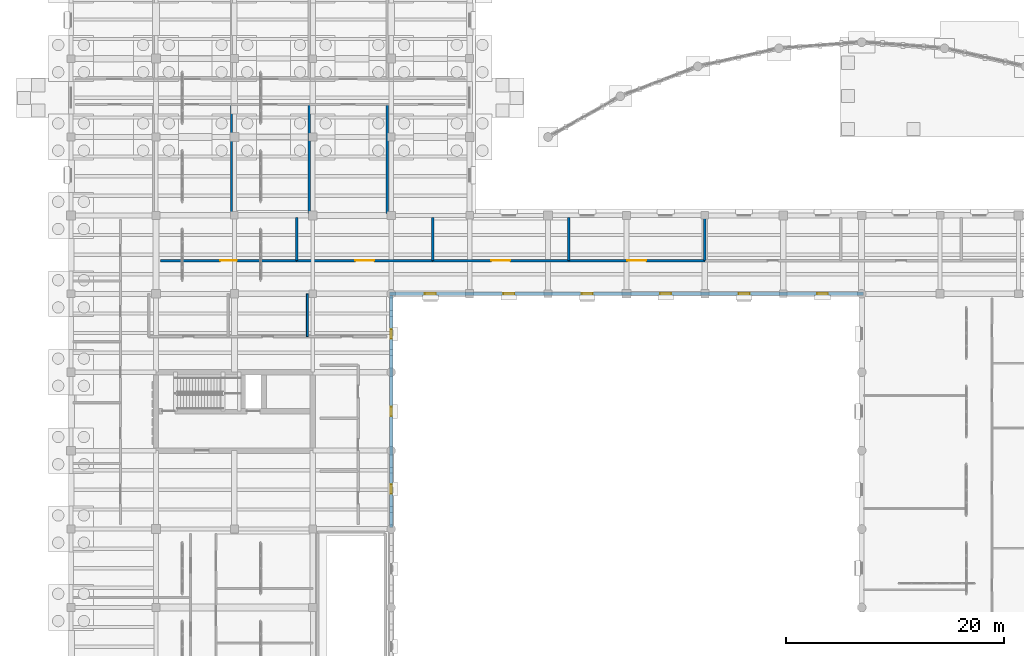
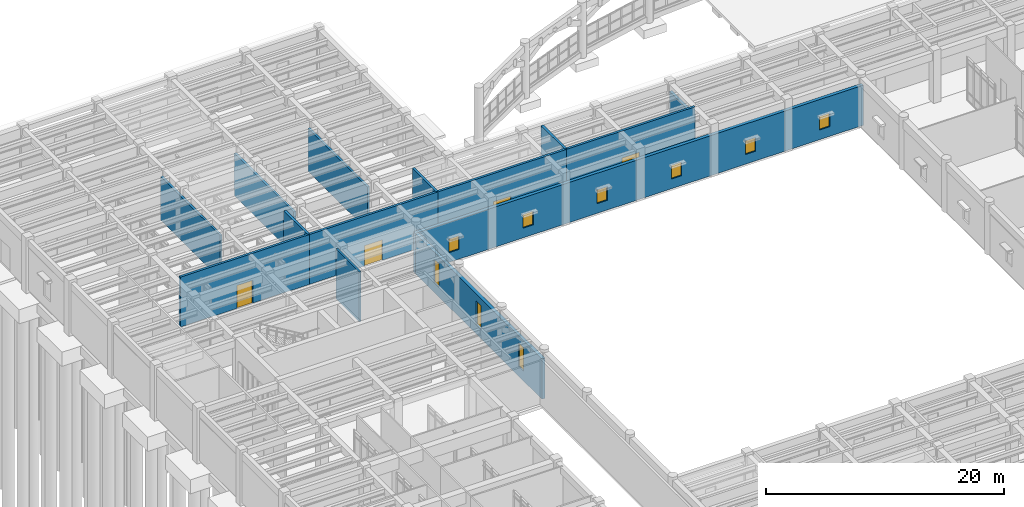
# One storey, part 75 of 100: 14 walls, 9 windows, 4 doors, 13 openings.
"""IFC4 building model written with IfcOpenShell, lengths in metres."""

from ifc_helpers import new_model, si_unit, direction, frame, frame_2d, origin, place, context, subcontext, project, spatial, rectangle, extrude, material, layer, layer_set, type_object, element, fill, save


model = new_model("IFC4")

# Units and contexts
model_context = context("Model", 3, precision=1e-05, world=origin(), true_north=direction((0.0, 1.0)))
body_context = subcontext(model_context, "Body", "Model", "MODEL_VIEW")
ifc_project = project(units=[si_unit("LENGTHUNIT", "METRE"), si_unit("AREAUNIT", "SQUARE_METRE"), si_unit("VOLUMEUNIT", "CUBIC_METRE"), si_unit("PLANEANGLEUNIT", "RADIAN"), si_unit("MASSUNIT", "GRAM", prefix="KILO")], contexts=[model_context])

# Site, building, storey
site_placement = place(None, origin())
site = spatial("IfcSite", under=ifc_project, at=site_placement, CompositionType="ELEMENT")
building_placement = place(site_placement, origin())
building = spatial("IfcBuilding", under=site, at=building_placement, Name="Mithqara Police Headquarters", CompositionType="ELEMENT")
storey_placement = place(building_placement, origin())
storey = spatial("IfcBuildingStorey", under=building, at=storey_placement, Name="L00", CompositionType="ELEMENT", Elevation=0.0)

# Wall, openings, windows
ifc_material_1 = material(Name="Limestone ashlar masonry, 45 MPa", Category="masonry")
ifc_layer_1 = layer(ifc_material_1, 0.320068359375, Name="Limestone ashlar masonry, 45 MPa")
ifc_layer_set_1 = layer_set([ifc_layer_1], Name="Limestone ashlar masonry, 45 MPa")
wall_type_1 = type_object("IfcWallType", Name="EXT WALL LIMESTONE320", PredefinedType="SOLIDWALL", material=ifc_layer_set_1)
wall_1_placement = place(storey_placement, frame((29.39990234375, 57.159912109375, 0.0), z_axis=(0.0, 0.0, 1.0), x_axis=(0.0, 1.0, 0.0)))
wall_1 = element("IfcWall", 1, at=wall_1_placement, inside=storey, type_object=wall_type_1, Name="L00 Exterior Wall 2.1", PredefinedType="SOLIDWALL", context=body_context, shape_type="SweptSolid", body=[
    extrude(rectangle(XDim=21.280029296875, YDim=0.320068359375, at=frame_2d((10.64013671875, 0.0))), origin(), (0.0, 0.0, 1.0), 4.1201171875),
])
opening_1_placement = place(wall_1_placement, frame((3.094970703125, 0.0, 1.0)))
opening_1 = element("IfcOpeningElement", 2, at=opening_1_placement, cuts=wall_1, Name="Opening W-05", PredefinedType="OPENING", context=body_context, shape_type="SweptSolid", body=[
    extrude(rectangle(XDim=0.85009765625, YDim=2.39990234375, at=frame_2d((0.425048828125, 1.199951171875))), frame((0.0, 0.169921875, 0.0), z_axis=(0.0, -1.0, 0.0), x_axis=(1.0, 0.0, 0.0)), (0.0, 0.0, 1.0), 0.340087890625),
])
opening_2_placement = place(wall_1_placement, frame((10.215087890625, 0.0, 1.0)))
opening_2 = element("IfcOpeningElement", 3, at=opening_2_placement, cuts=wall_1, Name="Opening W-05", PredefinedType="OPENING", context=body_context, shape_type="SweptSolid", body=[
    extrude(rectangle(XDim=0.85009765625, YDim=2.39990234375, at=frame_2d((0.425048828125, 1.199951171875))), frame((0.0, 0.169921875, 0.0), z_axis=(0.0, -1.0, 0.0), x_axis=(1.0, 0.0, 0.0)), (0.0, 0.0, 1.0), 0.340087890625),
])
opening_3_placement = place(wall_1_placement, frame((17.3349609375, 0.0, 1.0)))
opening_3 = element("IfcOpeningElement", 4, at=opening_3_placement, cuts=wall_1, Name="Opening W-05", PredefinedType="OPENING", context=body_context, shape_type="SweptSolid", body=[
    extrude(rectangle(XDim=0.85009765625, YDim=2.39990234375, at=frame_2d((0.425048828125, 1.199951171875))), frame((0.0, 0.169921875, 0.0), z_axis=(0.0, -1.0, 0.0), x_axis=(1.0, 0.0, 0.0)), (0.0, 0.0, 1.0), 0.340087890625),
])
ifc_material_2 = material(Name="Spectrally selective double low-e glass", Category="glass")
window_type_1 = type_object("IfcWindowType", Name="WINDOW 850X2400", PartitioningType="SINGLE_PANEL", PredefinedType="WINDOW", material=ifc_material_2)
window_1_placement = place(opening_1_placement, origin())
window_1 = element("IfcWindow", 5, at=window_1_placement, inside=storey, type_object=window_type_1, Name="L00 Deep-Set Punched Window 2.1", OverallHeight=2.39990234375, OverallWidth=0.85009765625, PartitioningType="SINGLE_PANEL", PredefinedType="WINDOW", context=body_context, shape_type="SweptSolid", body=[
    extrude(rectangle(XDim=0.85009765625, YDim=2.39990234375, at=frame_2d((0.425048828125, 1.199951171875))), frame((0.0, 0.030029296875, 0.0), z_axis=(0.0, -1.0, 0.0), x_axis=(1.0, 0.0, 0.0)), (0.0, 0.0, 1.0), 0.06005859375),
])
fill(opening_1, window_1)
window_2_placement = place(opening_2_placement, origin())
window_2 = element("IfcWindow", 6, at=window_2_placement, inside=storey, type_object=window_type_1, Name="L00 Deep-Set Punched Window 2.2", OverallHeight=2.39990234375, OverallWidth=0.85009765625, PartitioningType="SINGLE_PANEL", PredefinedType="WINDOW", context=body_context, shape_type="SweptSolid", body=[
    extrude(rectangle(XDim=0.85009765625, YDim=2.39990234375, at=frame_2d((0.425048828125, 1.199951171875))), frame((0.0, 0.030029296875, 0.0), z_axis=(0.0, -1.0, 0.0), x_axis=(1.0, 0.0, 0.0)), (0.0, 0.0, 1.0), 0.06005859375),
])
fill(opening_2, window_2)
window_3_placement = place(opening_3_placement, origin())
window_3 = element("IfcWindow", 7, at=window_3_placement, inside=storey, type_object=window_type_1, Name="L00 Deep-Set Punched Window 2.3", OverallHeight=2.39990234375, OverallWidth=0.85009765625, PartitioningType="SINGLE_PANEL", PredefinedType="WINDOW", context=body_context, shape_type="SweptSolid", body=[
    extrude(rectangle(XDim=0.85009765625, YDim=2.39990234375, at=frame_2d((0.425048828125, 1.199951171875))), frame((0.0, 0.030029296875, 0.0), z_axis=(0.0, -1.0, 0.0), x_axis=(1.0, 0.0, 0.0)), (0.0, 0.0, 1.0), 0.06005859375),
])
fill(opening_3, window_3)

wall_2_placement = place(storey_placement, frame((29.239990234375, 78.60009765625, 0.0), z_axis=(0.0, 0.0, 1.0), x_axis=(1.0, 0.0, 0.0)))
wall_2 = element("IfcWall", 8, at=wall_2_placement, inside=storey, type_object=wall_type_1, Name="L00 Exterior Wall 3.1", PredefinedType="SOLIDWALL", context=body_context, shape_type="SweptSolid", body=[
    extrude(rectangle(XDim=43.52001953125, YDim=0.320068359375, at=frame_2d((21.760009765625, 0.0))), origin(), (0.0, 0.0, 1.0), 4.1201171875),
])
opening_4_placement = place(wall_2_placement, frame((3.260009765625, 0.0, 1.0)))
opening_4 = element("IfcOpeningElement", 9, at=opening_4_placement, cuts=wall_2, Name="Opening W-06", PredefinedType="OPENING", context=body_context, shape_type="SweptSolid", body=[
    extrude(rectangle(XDim=1.0, YDim=1.39990234375, at=frame_2d((0.5, 0.699951171875))), frame((0.0, 0.169921875, 0.0), z_axis=(0.0, -1.0, 0.0), x_axis=(1.0, 0.0, 0.0)), (0.0, 0.0, 1.0), 0.340087890625),
])
opening_5_placement = place(wall_2_placement, frame((10.4599609375, 0.0, 1.0)))
opening_5 = element("IfcOpeningElement", 10, at=opening_5_placement, cuts=wall_2, Name="Opening W-06", PredefinedType="OPENING", context=body_context, shape_type="SweptSolid", body=[
    extrude(rectangle(XDim=1.0, YDim=1.39990234375, at=frame_2d((0.5, 0.699951171875))), frame((0.0, 0.169921875, 0.0), z_axis=(0.0, -1.0, 0.0), x_axis=(1.0, 0.0, 0.0)), (0.0, 0.0, 1.0), 0.340087890625),
])
opening_6_placement = place(wall_2_placement, frame((17.659912109375, 0.0, 1.0)))
opening_6 = element("IfcOpeningElement", 11, at=opening_6_placement, cuts=wall_2, Name="Opening W-06", PredefinedType="OPENING", context=body_context, shape_type="SweptSolid", body=[
    extrude(rectangle(XDim=1.0, YDim=1.39990234375, at=frame_2d((0.5, 0.699951171875))), frame((0.0, 0.169921875, 0.0), z_axis=(0.0, -1.0, 0.0), x_axis=(1.0, 0.0, 0.0)), (0.0, 0.0, 1.0), 0.340087890625),
])
opening_7_placement = place(wall_2_placement, frame((24.860107421875, 0.0, 1.0)))
opening_7 = element("IfcOpeningElement", 12, at=opening_7_placement, cuts=wall_2, Name="Opening W-06", PredefinedType="OPENING", context=body_context, shape_type="SweptSolid", body=[
    extrude(rectangle(XDim=1.0, YDim=1.39990234375, at=frame_2d((0.5, 0.699951171875))), frame((0.0, 0.169921875, 0.0), z_axis=(0.0, -1.0, 0.0), x_axis=(1.0, 0.0, 0.0)), (0.0, 0.0, 1.0), 0.340087890625),
])
opening_8_placement = place(wall_2_placement, frame((32.06005859375, 0.0, 1.0)))
opening_8 = element("IfcOpeningElement", 13, at=opening_8_placement, cuts=wall_2, Name="Opening W-06", PredefinedType="OPENING", context=body_context, shape_type="SweptSolid", body=[
    extrude(rectangle(XDim=1.0, YDim=1.39990234375, at=frame_2d((0.5, 0.699951171875))), frame((0.0, 0.169921875, 0.0), z_axis=(0.0, -1.0, 0.0), x_axis=(1.0, 0.0, 0.0)), (0.0, 0.0, 1.0), 0.340087890625),
])
opening_9_placement = place(wall_2_placement, frame((39.260009765625, 0.0, 1.0)))
opening_9 = element("IfcOpeningElement", 14, at=opening_9_placement, cuts=wall_2, Name="Opening W-06", PredefinedType="OPENING", context=body_context, shape_type="SweptSolid", body=[
    extrude(rectangle(XDim=1.0, YDim=1.39990234375, at=frame_2d((0.5, 0.699951171875))), frame((0.0, 0.169921875, 0.0), z_axis=(0.0, -1.0, 0.0), x_axis=(1.0, 0.0, 0.0)), (0.0, 0.0, 1.0), 0.340087890625),
])
window_type_2 = type_object("IfcWindowType", Name="WINDOW 1000X1400", PartitioningType="SINGLE_PANEL", PredefinedType="WINDOW", material=ifc_material_2)
window_4_placement = place(opening_4_placement, origin())
window_4 = element("IfcWindow", 15, at=window_4_placement, inside=storey, type_object=window_type_2, Name="L00 Deep-Set Punched Window 3.1", OverallHeight=1.39990234375, OverallWidth=1.0, PartitioningType="SINGLE_PANEL", PredefinedType="WINDOW", context=body_context, shape_type="SweptSolid", body=[
    extrude(rectangle(XDim=1.0, YDim=1.39990234375, at=frame_2d((0.5, 0.699951171875))), frame((0.0, 0.030029296875, 0.0), z_axis=(0.0, -1.0, 0.0), x_axis=(1.0, 0.0, 0.0)), (0.0, 0.0, 1.0), 0.06005859375),
])
fill(opening_4, window_4)
window_5_placement = place(opening_5_placement, origin())
window_5 = element("IfcWindow", 16, at=window_5_placement, inside=storey, type_object=window_type_2, Name="L00 Deep-Set Punched Window 3.2", OverallHeight=1.39990234375, OverallWidth=1.0, PartitioningType="SINGLE_PANEL", PredefinedType="WINDOW", context=body_context, shape_type="SweptSolid", body=[
    extrude(rectangle(XDim=1.0, YDim=1.39990234375, at=frame_2d((0.5, 0.699951171875))), frame((0.0, 0.030029296875, 0.0), z_axis=(0.0, -1.0, 0.0), x_axis=(1.0, 0.0, 0.0)), (0.0, 0.0, 1.0), 0.06005859375),
])
fill(opening_5, window_5)
window_6_placement = place(opening_6_placement, origin())
window_6 = element("IfcWindow", 17, at=window_6_placement, inside=storey, type_object=window_type_2, Name="L00 Deep-Set Punched Window 3.3", OverallHeight=1.39990234375, OverallWidth=1.0, PartitioningType="SINGLE_PANEL", PredefinedType="WINDOW", context=body_context, shape_type="SweptSolid", body=[
    extrude(rectangle(XDim=1.0, YDim=1.39990234375, at=frame_2d((0.5, 0.699951171875))), frame((0.0, 0.030029296875, 0.0), z_axis=(0.0, -1.0, 0.0), x_axis=(1.0, 0.0, 0.0)), (0.0, 0.0, 1.0), 0.06005859375),
])
fill(opening_6, window_6)
window_7_placement = place(opening_7_placement, origin())
window_7 = element("IfcWindow", 18, at=window_7_placement, inside=storey, type_object=window_type_2, Name="L00 Deep-Set Punched Window 3.4", OverallHeight=1.39990234375, OverallWidth=1.0, PartitioningType="SINGLE_PANEL", PredefinedType="WINDOW", context=body_context, shape_type="SweptSolid", body=[
    extrude(rectangle(XDim=1.0, YDim=1.39990234375, at=frame_2d((0.5, 0.699951171875))), frame((0.0, 0.030029296875, 0.0), z_axis=(0.0, -1.0, 0.0), x_axis=(1.0, 0.0, 0.0)), (0.0, 0.0, 1.0), 0.06005859375),
])
fill(opening_7, window_7)
window_8_placement = place(opening_8_placement, origin())
window_8 = element("IfcWindow", 19, at=window_8_placement, inside=storey, type_object=window_type_2, Name="L00 Deep-Set Punched Window 3.5", OverallHeight=1.39990234375, OverallWidth=1.0, PartitioningType="SINGLE_PANEL", PredefinedType="WINDOW", context=body_context, shape_type="SweptSolid", body=[
    extrude(rectangle(XDim=1.0, YDim=1.39990234375, at=frame_2d((0.5, 0.699951171875))), frame((0.0, 0.030029296875, 0.0), z_axis=(0.0, -1.0, 0.0), x_axis=(1.0, 0.0, 0.0)), (0.0, 0.0, 1.0), 0.06005859375),
])
fill(opening_8, window_8)
window_9_placement = place(opening_9_placement, origin())
window_9 = element("IfcWindow", 20, at=window_9_placement, inside=storey, type_object=window_type_2, Name="L00 Deep-Set Punched Window 3.6", OverallHeight=1.39990234375, OverallWidth=1.0, PartitioningType="SINGLE_PANEL", PredefinedType="WINDOW", context=body_context, shape_type="SweptSolid", body=[
    extrude(rectangle(XDim=1.0, YDim=1.39990234375, at=frame_2d((0.5, 0.699951171875))), frame((0.0, 0.030029296875, 0.0), z_axis=(0.0, -1.0, 0.0), x_axis=(1.0, 0.0, 0.0)), (0.0, 0.0, 1.0), 0.06005859375),
])
fill(opening_9, window_9)

# Walls
ifc_material_3 = material(Name="Concrete C40/50", Category="concrete")
ifc_layer_2 = layer(ifc_material_3, 0.179931640625, Name="Concrete C40/50")
ifc_layer_set_2 = layer_set([ifc_layer_2], Name="Concrete C40/50")
wall_type_2 = type_object("IfcWallType", Name="PART WALL 180", PredefinedType="PARTITIONING", material=ifc_layer_set_2)
wall_3_placement = place(storey_placement, frame((21.702880859375, 74.669921875, 0.0), z_axis=(0.0, 0.0, 1.0), x_axis=(0.0, 1.0, 0.0)))
element("IfcWall", 21, at=wall_3_placement, inside=storey, type_object=wall_type_2, Name="L00 Room Partition Field Shift Assembly Room", PredefinedType="PARTITIONING", context=body_context, shape_type="SweptSolid", body=[
    extrude(rectangle(XDim=3.93017578125, YDim=0.179931640625, at=frame_2d((1.965087890625, 0.0))), origin(), (0.0, 0.0, 1.0), 5.1201171875),
])
ifc_layer_3 = layer(ifc_material_3, 0.2099609375, Name="Concrete C40/50")
ifc_layer_set_3 = layer_set([ifc_layer_3], Name="Concrete C40/50")
wall_type_3 = type_object("IfcWallType", Name="PART WALL 210", PredefinedType="PARTITIONING", material=ifc_layer_set_3)
wall_4_placement = place(storey_placement, frame((14.72412109375, 85.97998046875, 0.0), z_axis=(0.0, 0.0, 1.0), x_axis=(0.0, 1.0, 0.0)))
element("IfcWall", 22, at=wall_4_placement, inside=storey, type_object=wall_type_3, Name="L00 Room Partition Public Cafe", PredefinedType="PARTITIONING", context=body_context, shape_type="SweptSolid", body=[
    extrude(rectangle(XDim=10.0, YDim=0.2099609375, at=frame_2d((5.0, 0.0))), origin(), (0.0, 0.0, 1.0), 4.469970703125),
])
wall_5_placement = place(storey_placement, frame((21.8759765625, 85.97998046875, 0.0), z_axis=(0.0, 0.0, 1.0), x_axis=(0.0, 1.0, 0.0)))
element("IfcWall", 23, at=wall_5_placement, inside=storey, type_object=wall_type_3, Name="L00 Room Partition Community Room", PredefinedType="PARTITIONING", context=body_context, shape_type="SweptSolid", body=[
    extrude(rectangle(XDim=10.0, YDim=0.2099609375, at=frame_2d((5.0, 0.0))), origin(), (0.0, 0.0, 1.0), 4.3701171875),
])
wall_6_placement = place(storey_placement, frame((29.028076171875, 85.97998046875, 0.0), z_axis=(0.0, 0.0, 1.0), x_axis=(0.0, 1.0, 0.0)))
element("IfcWall", 24, at=wall_6_placement, inside=storey, type_object=wall_type_3, Name="L00 Room Partition Citizen Assistance Room", PredefinedType="PARTITIONING", context=body_context, shape_type="SweptSolid", body=[
    extrude(rectangle(XDim=10.0, YDim=0.2099609375, at=frame_2d((5.0, 0.0))), origin(), (0.0, 0.0, 1.0), 4.419921875),
])

# Wall, opening, door
ifc_layer_4 = layer(ifc_material_3, 0.22998046875, Name="Concrete C40/50")
ifc_layer_set_4 = layer_set([ifc_layer_4], Name="Concrete C40/50")
wall_type_4 = type_object("IfcWallType", Name="PART WALL 230", PredefinedType="PARTITIONING", material=ifc_layer_set_4)
wall_7_placement = place(storey_placement, frame((8.219970703125, 81.639892578125, 0.0), z_axis=(0.0, 0.0, 1.0), x_axis=(1.0, 0.0, 0.0)))
wall_7 = element("IfcWall", 25, at=wall_7_placement, inside=storey, type_object=wall_type_4, Name="L00 Corridor Wall Shaded Forecourt Reception Vestibule", PredefinedType="PARTITIONING", context=body_context, shape_type="SweptSolid", body=[
    extrude(rectangle(XDim=12.4951171875, YDim=0.22998046875, at=frame_2d((6.24755859375, 0.0))), origin(), (0.0, 0.0, 1.0), 5.1201171875),
])
opening_10_placement = place(wall_7_placement, frame((5.487548828125, 0.0, 0.0)))
opening_10 = element("IfcOpeningElement", 26, at=opening_10_placement, cuts=wall_7, Name="Opening D-21", PredefinedType="OPENING", context=body_context, shape_type="SweptSolid", body=[
    extrude(rectangle(XDim=1.52001953125, YDim=2.35009765625, at=frame_2d((0.760009765625, 1.175048828125))), frame((0.0, 0.125, 0.0), z_axis=(0.0, -1.0, 0.0), x_axis=(1.0, 0.0, 0.0)), (0.0, 0.0, 1.0), 0.25),
])
ifc_material_4 = material(Name="Bronze anodised aluminium 6063-T6", Category="aluminium")
door_type_1 = type_object("IfcDoorType", Name="INT DOOR 1520X2350", OperationType="NOTDEFINED", PredefinedType="DOOR", material=ifc_material_4)
door_1_placement = place(opening_10_placement, origin())
door_1 = element("IfcDoor", 27, at=door_1_placement, inside=storey, type_object=door_type_1, Name="Shaded Forecourt Reception Vestibule Entry Door", OperationType="DOUBLE_DOOR_SINGLE_SWING", OverallHeight=2.35009765625, OverallWidth=1.52001953125, PredefinedType="DOOR", context=body_context, shape_type="SweptSolid", body=[
    extrude(rectangle(XDim=1.52001953125, YDim=2.35009765625, at=frame_2d((0.760009765625, 1.175048828125))), frame((0.0, 0.02490234375, 0.0), z_axis=(0.0, -1.0, 0.0), x_axis=(1.0, 0.0, 0.0)), (0.0, 0.0, 1.0), 0.050048828125),
])
fill(opening_10, door_1)

# Wall
wall_8_placement = place(storey_placement, frame((20.715087890625, 81.639892578125, 0.0), z_axis=(0.0, 0.0, 1.0), x_axis=(0.0, 1.0, 0.0)))
element("IfcWall", 28, at=wall_8_placement, inside=storey, type_object=wall_type_4, Name="L00 Room Partition Shaded Forecourt Reception Vestibule", PredefinedType="PARTITIONING", context=body_context, shape_type="SweptSolid", body=[
    extrude(rectangle(XDim=3.980224609375, YDim=0.22998046875, at=frame_2d((1.990234375, 0.0))), origin(), (0.0, 0.0, 1.0), 5.1201171875),
])

# Wall, opening, door
wall_9_placement = place(storey_placement, frame((20.715087890625, 81.639892578125, 0.0), z_axis=(0.0, 0.0, 1.0), x_axis=(1.0, 0.0, 0.0)))
wall_9 = element("IfcWall", 29, at=wall_9_placement, inside=storey, type_object=wall_type_4, Name="L00 Corridor Wall Public Information Kiosk", PredefinedType="PARTITIONING", context=body_context, shape_type="SweptSolid", body=[
    extrude(rectangle(XDim=12.494873046875, YDim=0.22998046875, at=frame_2d((6.24755859375, 0.0))), origin(), (0.0, 0.0, 1.0), 5.1201171875),
])
opening_11_placement = place(wall_9_placement, frame((5.387451171875, 0.0, 0.0)))
opening_11 = element("IfcOpeningElement", 30, at=opening_11_placement, cuts=wall_9, Name="Opening D-22", PredefinedType="OPENING", context=body_context, shape_type="SweptSolid", body=[
    extrude(rectangle(XDim=1.719970703125, YDim=2.10009765625, at=frame_2d((0.85986328125, 1.050048828125))), frame((0.0, 0.125, 0.0), z_axis=(0.0, -1.0, 0.0), x_axis=(1.0, 0.0, 0.0)), (0.0, 0.0, 1.0), 0.25),
])
door_type_2 = type_object("IfcDoorType", Name="INT DOOR 1720X2100", OperationType="NOTDEFINED", PredefinedType="DOOR", material=ifc_material_4)
door_2_placement = place(opening_11_placement, origin())
door_2 = element("IfcDoor", 31, at=door_2_placement, inside=storey, type_object=door_type_2, Name="Public Information Kiosk Entry Door", OperationType="DOUBLE_DOOR_SINGLE_SWING", OverallHeight=2.10009765625, OverallWidth=1.719970703125, PredefinedType="DOOR", context=body_context, shape_type="SweptSolid", body=[
    extrude(rectangle(XDim=1.719970703125, YDim=2.10009765625, at=frame_2d((0.85986328125, 1.050048828125))), frame((0.0, 0.02490234375, 0.0), z_axis=(0.0, -1.0, 0.0), x_axis=(1.0, 0.0, 0.0)), (0.0, 0.0, 1.0), 0.050048828125),
])
fill(opening_11, door_2)

# Wall
wall_10_placement = place(storey_placement, frame((33.2099609375, 81.639892578125, 0.0), z_axis=(0.0, 0.0, 1.0), x_axis=(0.0, 1.0, 0.0)))
element("IfcWall", 32, at=wall_10_placement, inside=storey, type_object=wall_type_4, Name="L00 Room Partition Public Information Kiosk", PredefinedType="PARTITIONING", context=body_context, shape_type="SweptSolid", body=[
    extrude(rectangle(XDim=3.980224609375, YDim=0.22998046875, at=frame_2d((1.990234375, 0.0))), origin(), (0.0, 0.0, 1.0), 5.1201171875),
])

# Wall, opening, door
wall_11_placement = place(storey_placement, frame((33.2099609375, 81.639892578125, 0.0), z_axis=(0.0, 0.0, 1.0), x_axis=(1.0, 0.0, 0.0)))
wall_11 = element("IfcWall", 33, at=wall_11_placement, inside=storey, type_object=wall_type_4, Name="L00 Corridor Wall Community Liaison Office", PredefinedType="PARTITIONING", context=body_context, shape_type="SweptSolid", body=[
    extrude(rectangle(XDim=12.4951171875, YDim=0.22998046875, at=frame_2d((6.24755859375, 0.0))), origin(), (0.0, 0.0, 1.0), 5.1201171875),
])
opening_12_placement = place(wall_11_placement, frame((5.387451171875, 0.0, 0.0)))
opening_12 = element("IfcOpeningElement", 34, at=opening_12_placement, cuts=wall_11, Name="Opening D-23", PredefinedType="OPENING", context=body_context, shape_type="SweptSolid", body=[
    extrude(rectangle(XDim=1.719970703125, YDim=2.219970703125, at=frame_2d((0.85986328125, 1.10986328125))), frame((0.0, 0.125, 0.0), z_axis=(0.0, -1.0, 0.0), x_axis=(1.0, 0.0, 0.0)), (0.0, 0.0, 1.0), 0.25),
])
door_type_3 = type_object("IfcDoorType", Name="INT DOOR 1720X2220", OperationType="NOTDEFINED", PredefinedType="DOOR", material=ifc_material_4)
door_3_placement = place(opening_12_placement, origin())
door_3 = element("IfcDoor", 35, at=door_3_placement, inside=storey, type_object=door_type_3, Name="Community Liaison Office Entry Door", OperationType="DOUBLE_DOOR_SINGLE_SWING", OverallHeight=2.219970703125, OverallWidth=1.719970703125, PredefinedType="DOOR", context=body_context, shape_type="SweptSolid", body=[
    extrude(rectangle(XDim=1.719970703125, YDim=2.219970703125, at=frame_2d((0.85986328125, 1.10986328125))), frame((0.0, 0.02490234375, 0.0), z_axis=(0.0, -1.0, 0.0), x_axis=(1.0, 0.0, 0.0)), (0.0, 0.0, 1.0), 0.050048828125),
])
fill(opening_12, door_3)

# Wall
wall_12_placement = place(storey_placement, frame((45.705078125, 81.639892578125, 0.0), z_axis=(0.0, 0.0, 1.0), x_axis=(0.0, 1.0, 0.0)))
element("IfcWall", 36, at=wall_12_placement, inside=storey, type_object=wall_type_4, Name="L00 Room Partition Community Liaison Office", PredefinedType="PARTITIONING", context=body_context, shape_type="SweptSolid", body=[
    extrude(rectangle(XDim=3.980224609375, YDim=0.22998046875, at=frame_2d((1.990234375, 0.0))), origin(), (0.0, 0.0, 1.0), 5.1201171875),
])

# Wall, opening, door
wall_13_placement = place(storey_placement, frame((45.705078125, 81.639892578125, 0.0), z_axis=(0.0, 0.0, 1.0), x_axis=(1.0, 0.0, 0.0)))
wall_13 = element("IfcWall", 37, at=wall_13_placement, inside=storey, type_object=wall_type_4, Name="L00 Corridor Wall Shaded Forecourt Reception Vestibule", PredefinedType="PARTITIONING", context=body_context, shape_type="SweptSolid", body=[
    extrude(rectangle(XDim=12.494873046875, YDim=0.22998046875, at=frame_2d((6.24755859375, 0.0))), origin(), (0.0, 0.0, 1.0), 5.1201171875),
])
opening_13_placement = place(wall_13_placement, frame((5.387451171875, 0.0, 0.0)))
opening_13 = element("IfcOpeningElement", 38, at=opening_13_placement, cuts=wall_13, Name="Opening D-24", PredefinedType="OPENING", context=body_context, shape_type="SweptSolid", body=[
    extrude(rectangle(XDim=1.719970703125, YDim=2.35009765625, at=frame_2d((0.85986328125, 1.175048828125))), frame((0.0, 0.125, 0.0), z_axis=(0.0, -1.0, 0.0), x_axis=(1.0, 0.0, 0.0)), (0.0, 0.0, 1.0), 0.25),
])
door_type_4 = type_object("IfcDoorType", Name="INT DOOR 1720X2350", OperationType="NOTDEFINED", PredefinedType="DOOR", material=ifc_material_4)
door_4_placement = place(opening_13_placement, origin())
door_4 = element("IfcDoor", 39, at=door_4_placement, inside=storey, type_object=door_type_4, Name="Shaded Forecourt Reception Vestibule Entry Door", OperationType="DOUBLE_DOOR_SINGLE_SWING", OverallHeight=2.35009765625, OverallWidth=1.719970703125, PredefinedType="DOOR", context=body_context, shape_type="SweptSolid", body=[
    extrude(rectangle(XDim=1.719970703125, YDim=2.35009765625, at=frame_2d((0.85986328125, 1.175048828125))), frame((0.0, 0.02490234375, 0.0), z_axis=(0.0, -1.0, 0.0), x_axis=(1.0, 0.0, 0.0)), (0.0, 0.0, 1.0), 0.050048828125),
])
fill(opening_13, door_4)

# Wall
wall_14_placement = place(storey_placement, frame((58.199951171875, 81.639892578125, 0.0), z_axis=(0.0, 0.0, 1.0), x_axis=(0.0, 1.0, 0.0)))
element("IfcWall", 40, at=wall_14_placement, inside=storey, type_object=wall_type_4, Name="L00 Room Partition Shaded Forecourt Reception Vestibule", PredefinedType="PARTITIONING", context=body_context, shape_type="SweptSolid", body=[
    extrude(rectangle(XDim=3.980224609375, YDim=0.22998046875, at=frame_2d((1.990234375, 0.0))), origin(), (0.0, 0.0, 1.0), 4.27001953125),
])

save(model, "model.ifc")
